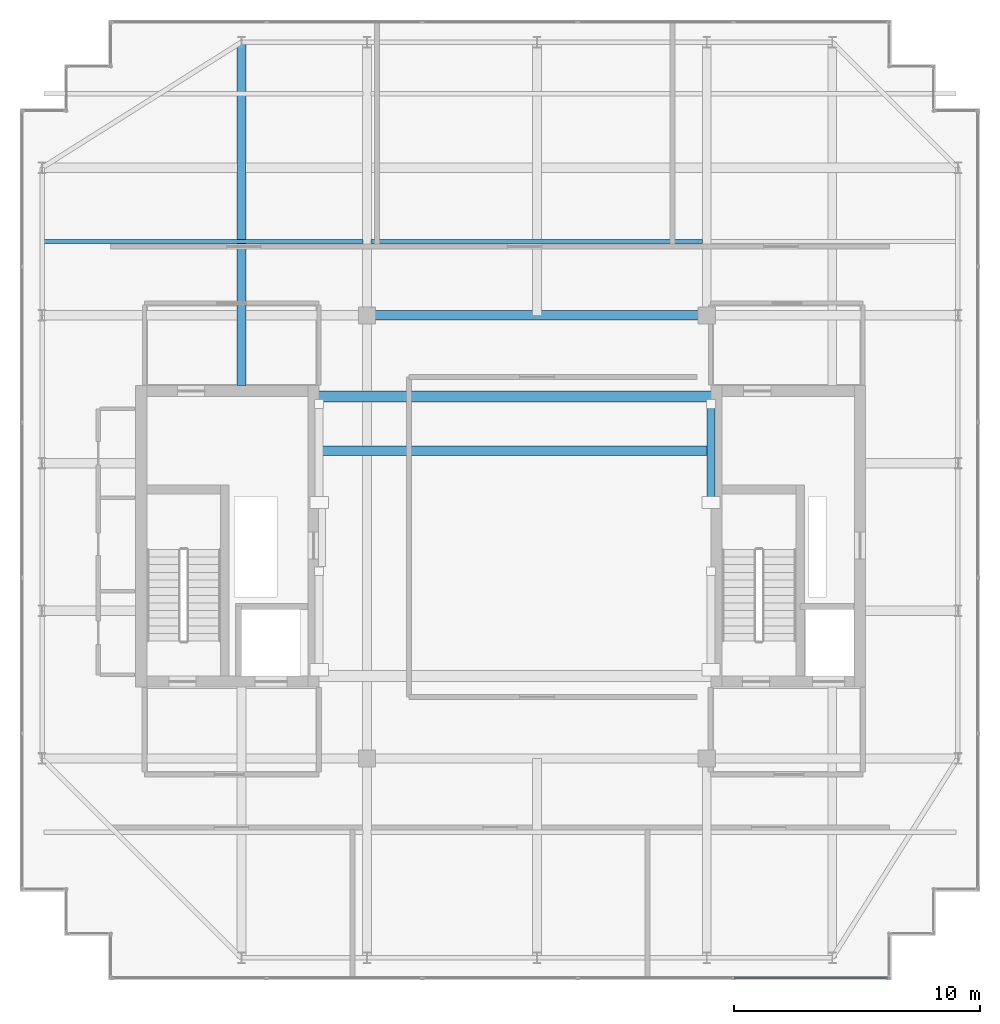
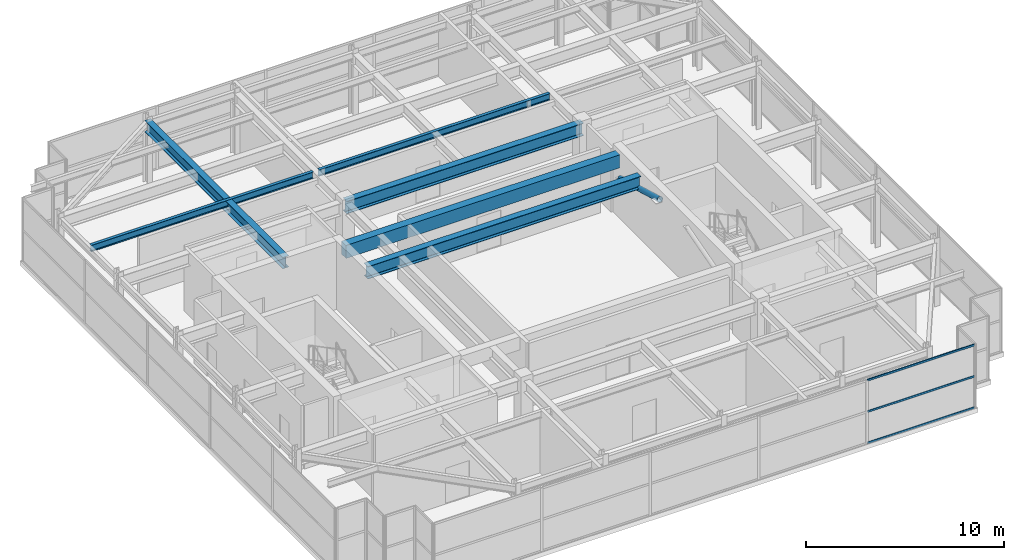
# One storey, part 14 of 32: 6 beams, 4 members, 1 element without a shape of its own.
"""IFC4 building model written with IfcOpenShell, lengths in metres."""

from ifc_helpers import new_model, si_unit, direction, frame, origin, origin_2d, place, context, subcontext, project, spatial, rectangle, hollow_rectangle, hollow_circle, i_section, extrude, source, transform, mapped, material, layer, layer_set, material_profile, profile_set, type_object, element, aggregate, save


model = new_model("IFC4")

# Units and contexts
model_context = context("Model", 3, precision=1e-05, world=origin(), true_north=direction((0.0, 1.0)))
body_context = subcontext(model_context, "Body", "Model", "MODEL_VIEW")
ifc_project = project(units=[si_unit("LENGTHUNIT", "METRE"), si_unit("AREAUNIT", "SQUARE_METRE"), si_unit("VOLUMEUNIT", "CUBIC_METRE"), si_unit("PLANEANGLEUNIT", "RADIAN"), si_unit("MASSUNIT", "GRAM", prefix="KILO")], contexts=[model_context])

# Site, building, storey
site_placement = place(None, origin())
site = spatial("IfcSite", under=ifc_project, at=site_placement, CompositionType="ELEMENT")
building_placement = place(site_placement, origin())
building = spatial("IfcBuilding", under=site, at=building_placement, Name="Khoralis Quay Care Tower", CompositionType="ELEMENT")
storey_placement = place(building_placement, frame((0.0, 0.0, 297.89990234375)))
storey = spatial("IfcBuildingStorey", under=building, at=storey_placement, Name="L78", CompositionType="ELEMENT", Elevation=297.89990234375)

# Beams
ifc_material_1 = material(Name="Concrete C50/60", Category="concrete")
ifc_material_profile_1 = material_profile(ifc_material_1, rectangle(XDim=0.449951171875, YDim=0.800048828125, at=origin_2d()), Name="Concrete C50/60")
ifc_profile_set_1 = profile_set([ifc_material_profile_1], Name="Concrete C50/60")
beam_type_1 = type_object("IfcBeamType", Name="CB-RC450X800", PredefinedType="LINTEL", material=ifc_profile_set_1)
shared_shape_1 = source(origin(), body_context, "Body", "SweptSolid", [
    extrude(rectangle(XDim=0.449951171875, YDim=0.800048828125, at=origin_2d()), origin(), (0.0, 0.0, 1.0), 15.97998046875),
])
beam_1_placement = place(storey_placement, frame((15.1201171875, 26.699951171875, 3.52001953125), z_axis=(1.0, 0.0, 0.0), x_axis=(0.0, 1.0, 0.0)))
element("IfcBeam", 1, at=beam_1_placement, inside=storey, type_object=beam_type_1, Name="L78 North Core Coupling Lintel", PredefinedType="LINTEL", context=body_context, shape_type="MappedRepresentation", body=[
    mapped(shared_shape_1, transform((0.0, 0.0, 0.0), scale=1.0)),
])
ifc_material_2 = material(Name="Steel S355", Category="steel")
ifc_material_profile_2 = material_profile(ifc_material_2, i_section(OverallWidth=0.381103515625, OverallDepth=0.77294921875, WebThickness=0.0166015625, FlangeThickness=0.027587890625, FilletRadius=0.02197265625, at=origin_2d()), Name="Steel S355")
ifc_profile_set_2 = profile_set([ifc_material_profile_2], Name="Steel S355")
beam_type_2 = type_object("IfcBeamType", Name="BM-W760X257", PredefinedType="BEAM", material=ifc_profile_set_2)
shared_shape_2 = source(origin(), body_context, "Body", "SweptSolid", [
    extrude(i_section(OverallWidth=0.381103515625, OverallDepth=0.77294921875, WebThickness=0.0166015625, FlangeThickness=0.027587890625, FilletRadius=0.02197265625, at=origin_2d()), origin(), (0.0, 0.0, 1.0), 13.7998046875),
])
beam_2_placement = place(storey_placement, frame((17.10009765625, 30.0, 3.53369140625), z_axis=(1.0, 0.0, 0.0), x_axis=(0.0, 1.0, 0.0)))
element("IfcBeam", 2, at=beam_2_placement, inside=storey, type_object=beam_type_2, Name="BM-TGCC-L78-300", PredefinedType="BEAM", context=body_context, shape_type="MappedRepresentation", body=[
    mapped(shared_shape_2, transform((0.0, 0.0, 0.0), scale=1.0)),
])
ifc_material_profile_3 = material_profile(ifc_material_2, i_section(OverallWidth=0.177978515625, OverallDepth=0.406982421875, WebThickness=0.0078125, FlangeThickness=0.0126953125, FilletRadius=0.012939453125, at=origin_2d()), Name="Steel S355")
ifc_profile_set_3 = profile_set([ifc_material_profile_3], Name="Steel S355")
beam_type_3 = type_object("IfcBeamType", Name="BM-W410X60", PredefinedType="JOIST", material=ifc_profile_set_3)
shared_shape_3 = source(origin(), body_context, "Body", "SweptSolid", [
    extrude(i_section(OverallWidth=0.177978515625, OverallDepth=0.406982421875, WebThickness=0.0078125, FlangeThickness=0.0126953125, FilletRadius=0.012939453125, at=origin_2d()), origin(), (0.0, 0.0, 1.0), 13.46923828125),
])
beam_3_placement = place(storey_placement, frame((17.265380859375, 33.0, 3.716552734375), z_axis=(1.0, 0.0, 0.0), x_axis=(0.0, 1.0, 0.0)))
element("IfcBeam", 3, at=beam_3_placement, inside=storey, type_object=beam_type_3, Name="BM-TJS-L78-26", PredefinedType="JOIST", context=body_context, shape_type="MappedRepresentation", body=[
    mapped(shared_shape_3, transform((0.0, 0.0, 0.0), scale=1.0)),
])
shared_shape_4 = source(origin(), body_context, "Body", "SweptSolid", [
    extrude(i_section(OverallWidth=0.381103515625, OverallDepth=0.77294921875, WebThickness=0.0166015625, FlangeThickness=0.027587890625, FilletRadius=0.02197265625, at=origin_2d()), origin(), (0.0, 0.0, 1.0), 15.924072265625),
])
beam_4_placement = place(storey_placement, frame((15.14794921875, 24.5, 3.53369140625), z_axis=(1.0, 0.0, 0.0), x_axis=(0.0, 1.0, 0.0)))
element("IfcBeam", 4, at=beam_4_placement, inside=storey, type_object=beam_type_2, Name="BM-TGCC-L78-245", PredefinedType="BEAM", context=body_context, shape_type="MappedRepresentation", body=[
    mapped(shared_shape_4, transform((0.0, 0.0, 0.0), scale=1.0)),
])
ifc_material_profile_4 = material_profile(ifc_material_2, i_section(OverallWidth=0.35498046875, OverallDepth=0.695068359375, WebThickness=0.015380859375, FlangeThickness=0.02490234375, FilletRadius=0.02001953125, at=origin_2d()), Name="Steel S355")
ifc_profile_set_4 = profile_set([ifc_material_profile_4], Name="Steel S355")
beam_type_4 = type_object("IfcBeamType", Name="BM-W690X217", PredefinedType="BEAM", material=ifc_profile_set_4)
shared_shape_5 = source(origin(), body_context, "Body", "SweptSolid", [
    extrude(i_section(OverallWidth=0.35498046875, OverallDepth=0.695068359375, WebThickness=0.015380859375, FlangeThickness=0.02490234375, FilletRadius=0.02001953125, at=origin_2d()), origin(), (0.0, 0.0, 1.0), 13.9521484375),
])
beam_5_placement = place(storey_placement, frame((12.0, 27.14794921875, 3.572509765625), z_axis=(0.0, 1.0, 0.0), x_axis=(-1.0, 0.0, 0.0)))
element("IfcBeam", 5, at=beam_5_placement, inside=storey, type_object=beam_type_4, Name="BM-TGYN-L78-120", PredefinedType="BEAM", context=body_context, shape_type="MappedRepresentation", body=[
    mapped(shared_shape_5, transform((0.0, 0.0, 0.0), scale=1.0)),
])
shared_shape_6 = source(origin(), body_context, "Body", "SweptSolid", [
    extrude(i_section(OverallWidth=0.177978515625, OverallDepth=0.406982421875, WebThickness=0.0078125, FlangeThickness=0.0126953125, FilletRadius=0.012939453125, at=origin_2d()), origin(), (0.0, 0.0, 1.0), 12.95361328125),
])
beam_6_placement = place(storey_placement, frame((3.98095703125, 33.0, 3.716552734375), z_axis=(1.0, 0.0, 0.0), x_axis=(0.0, 1.0, 0.0)))
element("IfcBeam", 6, at=beam_6_placement, inside=storey, type_object=beam_type_3, Name="BM-TJS-L78-24", PredefinedType="JOIST", context=body_context, shape_type="MappedRepresentation", body=[
    mapped(shared_shape_6, transform((0.0, 0.0, 0.0), scale=1.0)),
])

# Member
ifc_material_profile_5 = material_profile(ifc_material_2, hollow_circle(Radius=0.161865234375, WallThickness=0.01611328125, at=origin_2d()), Name="Steel S355")
ifc_profile_set_5 = profile_set([ifc_material_profile_5], Name="Steel S355")
member_type_1 = type_object("IfcMemberType", Name="ST-CHS323X16", PredefinedType="STRUT", material=ifc_profile_set_5)
shared_shape_7 = source(origin(), body_context, "Body", "SweptSolid", [
    extrude(hollow_circle(Radius=0.161865234375, WallThickness=0.01611328125, at=origin_2d()), origin(), (0.0, 0.0, 1.0), 4.156494140625),
])
member_1_placement = place(storey_placement, frame((31.072021484375, 22.39990234375, 3.650146484375), z_axis=(0.0, 0.962328782221, -0.271888423639), x_axis=(-1.0, 0.0, 0.0)))
element("IfcMember", 7, at=member_1_placement, inside=storey, type_object=member_type_1, Name="L78 Lantern Diagrid Strut 4", PredefinedType="STRUT", context=body_context, shape_type="MappedRepresentation", body=[
    mapped(shared_shape_7, transform((0.0, 0.0, 0.0), scale=1.0)),
])

# Curtain wall, members
ifc_material_3 = material(Name="Pale anodised aluminium", Category="aluminium")
ifc_layer = layer(ifc_material_3, 0.199951171875)
ifc_layer_set = layer_set([ifc_layer], Name="Pale anodised aluminium")
curtain_wall_type = type_object("IfcCurtainWallType", Name="CW-SYS-LANTERN", PredefinedType="NOTDEFINED", material=ifc_layer_set)
curtain_wall_placement = place(storey_placement, origin())
curtain_wall = element("IfcCurtainWall", 8, at=curtain_wall_placement, inside=storey, type_object=curtain_wall_type, Name="L78 Unitised Curtain Wall CW-LN-L78-01", PredefinedType="NOTDEFINED")
ifc_material_profile_6 = material_profile(ifc_material_3, hollow_rectangle(XDim=0.054931640625, YDim=0.1201171875, WallThickness=0.00390625, at=origin_2d()), Name="Pale anodised aluminium")
ifc_profile_set_6 = profile_set([ifc_material_profile_6], Name="Pale anodised aluminium")
member_type_2 = type_object("IfcMemberType", Name="CW-TRN-120", PredefinedType="USERDEFINED", material=ifc_profile_set_6)
shared_shape_8 = source(origin(), body_context, "Body", "SweptSolid", [
    extrude(hollow_rectangle(XDim=0.054931640625, YDim=0.1201171875, WallThickness=0.00390625, at=origin_2d()), origin(), (0.0, 0.0, 1.0), 6.23388671875),
])
member_2_placement = place(storey_placement, frame((32.01611328125, 3.090087890625, 0.030029296875), z_axis=(1.0, 0.0, 0.0), x_axis=(0.0, 1.0, 0.0)))
member_2 = element("IfcMember", 9, at=member_2_placement, type_object=member_type_2, Name="CW5 transom 5.1", ObjectType="TRANSOM", PredefinedType="USERDEFINED", context=body_context, shape_type="MappedRepresentation", body=[
    mapped(shared_shape_8, transform((0.0, 0.0, 0.0), scale=1.0)),
])
member_3_placement = place(storey_placement, frame((32.01611328125, 3.090087890625, 1.960205078125), z_axis=(1.0, 0.0, 0.0), x_axis=(0.0, 1.0, 0.0)))
member_3 = element("IfcMember", 10, at=member_3_placement, type_object=member_type_2, Name="CW5 transom 5.2", ObjectType="TRANSOM", PredefinedType="USERDEFINED", context=body_context, shape_type="MappedRepresentation", body=[
    mapped(shared_shape_8, transform((0.0, 0.0, 0.0), scale=1.0)),
])
member_4_placement = place(storey_placement, frame((32.01611328125, 3.090087890625, 3.89013671875), z_axis=(1.0, 0.0, 0.0), x_axis=(0.0, 1.0, 0.0)))
member_4 = element("IfcMember", 11, at=member_4_placement, type_object=member_type_2, Name="CW5 transom 5.3", ObjectType="TRANSOM", PredefinedType="USERDEFINED", context=body_context, shape_type="MappedRepresentation", body=[
    mapped(shared_shape_8, transform((0.0, 0.0, 0.0), scale=1.0)),
])
aggregate(curtain_wall, [member_2, member_3, member_4])

save(model, "model.ifc")
